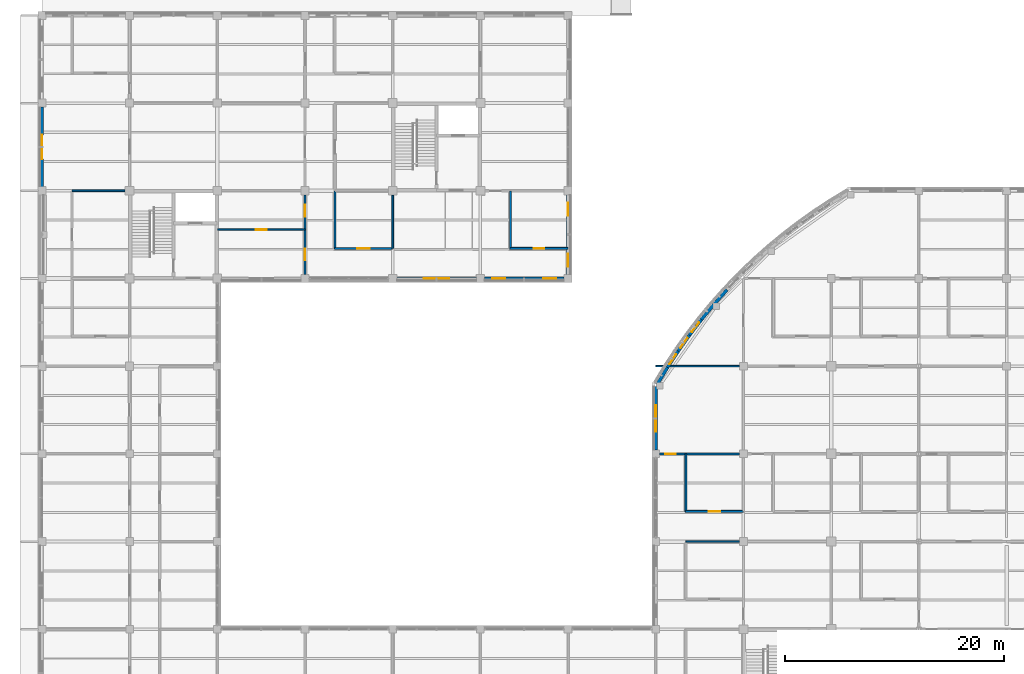
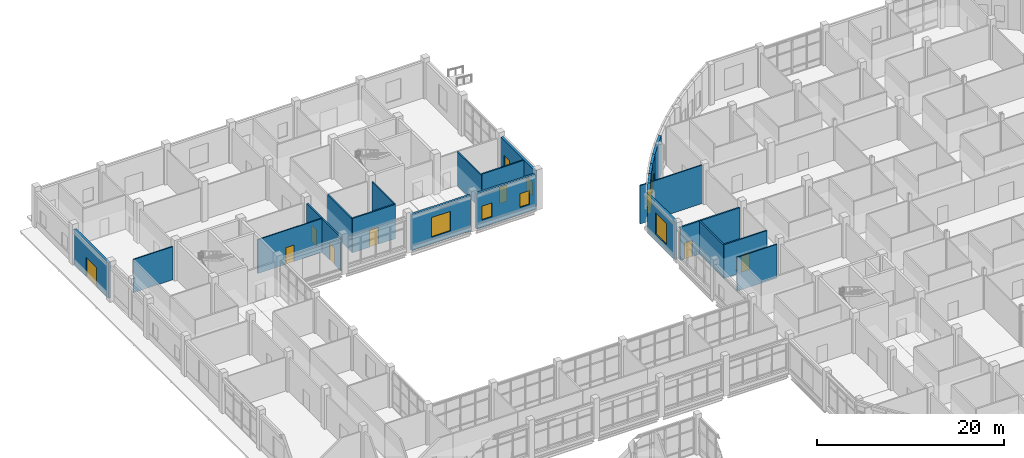
# One storey, part 69 of 105: 24 walls, 9 windows, 8 doors, 17 openings.
"""IFC4 building model written with IfcOpenShell, lengths in metres."""

from ifc_helpers import new_model, si_unit, derived_unit, direction, frame, frame_2d, origin, place, context, subcontext, project, spatial, rectangle, extrude, material, layer, layer_set, type_object, element, fill, save


model = new_model("IFC4")

# Units and contexts
model_context = context("Model", 3, precision=1e-05, world=origin(), true_north=direction((0.0, 1.0)))
body_context = subcontext(model_context, "Body", "Model", "MODEL_VIEW")
ifc_project = project(units=[si_unit("LENGTHUNIT", "METRE"), si_unit("AREAUNIT", "SQUARE_METRE"), si_unit("VOLUMEUNIT", "CUBIC_METRE"), si_unit("PLANEANGLEUNIT", "RADIAN"), si_unit("MASSUNIT", "GRAM", prefix="KILO"), derived_unit("THERMALTRANSMITTANCEUNIT", [(si_unit("MASSUNIT", "GRAM", prefix="KILO"), 1), (si_unit("TIMEUNIT", "SECOND"), -3), (si_unit("THERMODYNAMICTEMPERATUREUNIT", "KELVIN"), -1)])], contexts=[model_context])

# Site, building, storey
site_placement = place(None, origin())
site = spatial("IfcSite", under=ifc_project, at=site_placement, CompositionType="ELEMENT")
building_placement = place(site_placement, origin())
building = spatial("IfcBuilding", under=site, at=building_placement, Name="Veyamyaing Civic Hall", CompositionType="ELEMENT")
storey_placement = place(building_placement, origin())
storey = spatial("IfcBuildingStorey", under=building, at=storey_placement, Name="L00", CompositionType="ELEMENT", Elevation=0.0)

# Walls
ifc_material_1 = material(Name="Precast concrete C40/50", Category="concrete")
ifc_layer_1 = layer(ifc_material_1, 0.304931640625, Name="Precast concrete C40/50")
ifc_layer_set_1 = layer_set([ifc_layer_1], Name="Precast concrete C40/50")
wall_type_1 = type_object("IfcWallType", Name="WT-03", PredefinedType="SOLIDWALL", material=ifc_layer_set_1)
wall_1_placement = place(storey_placement, frame((62.498291015625, 86.975830078125, 0.0), z_axis=(0.0, 0.0, 1.0), x_axis=(-0.666277888361, -0.745703543965, 0.0)))
element("IfcWall", 1, at=wall_1_placement, inside=storey, type_object=wall_type_1, Name="Curved corner facade wall WT-03 L00 NW.9", PredefinedType="SOLIDWALL", context=body_context, shape_type="SweptSolid", body=[
    extrude(rectangle(XDim=1.795166015625, YDim=0.304931640625, at=frame_2d((0.8974609375, 0.0))), origin(), (0.0, 0.0, 1.0), 5.034912109375),
])
wall_2_placement = place(storey_placement, frame((61.305908203125, 85.6416015625, 0.0), z_axis=(0.0, 0.0, 1.0), x_axis=(-0.638054732073, -0.769991012207, 0.0)))
element("IfcWall", 2, at=wall_2_placement, inside=storey, type_object=wall_type_1, Name="Curved corner facade wall WT-03 L00 NW.10", PredefinedType="SOLIDWALL", context=body_context, shape_type="SweptSolid", body=[
    extrude(rectangle(XDim=1.794921875, YDim=0.304931640625, at=frame_2d((0.8974609375, 0.0))), origin(), (0.0, 0.0, 1.0), 5.034912109375),
])

# Wall, opening, window
wall_3_placement = place(storey_placement, frame((60.164306640625, 84.263916015625, 0.0), z_axis=(0.0, 0.0, 1.0), x_axis=(-0.608776981616, -0.793341406114, 0.0)))
wall_3 = element("IfcWall", 3, at=wall_3_placement, inside=storey, type_object=wall_type_1, Name="Curved corner facade wall WT-03 L00 NW.11", PredefinedType="SOLIDWALL", context=body_context, shape_type="SweptSolid", body=[
    extrude(rectangle(XDim=1.794921875, YDim=0.304931640625, at=frame_2d((0.8974609375, 0.0))), origin(), (0.0, 0.0, 1.0), 5.034912109375),
])
opening_1_placement = place(wall_3_placement, frame((0.347412109375, 0.0, 0.89990234375)))
opening_1 = element("IfcOpeningElement", 4, at=opening_1_placement, cuts=wall_3, Name="Opening W-15", PredefinedType="OPENING", context=body_context, shape_type="SweptSolid", body=[
    extrude(rectangle(XDim=1.10009765625, YDim=2.10009765625, at=frame_2d((0.550048828125, 1.050048828125))), frame((0.0, 0.162353515625, 0.0), z_axis=(0.0, -1.0, 0.0), x_axis=(1.0, 0.0, 0.0)), (0.0, 0.0, 1.0), 0.324951171875),
])
ifc_material_2 = material(Name="Low-E insulated glass", Category="glass")
window_type_1 = type_object("IfcWindowType", Name="W-15", PartitioningType="SINGLE_PANEL", PredefinedType="WINDOW", material=ifc_material_2)
window_1_placement = place(opening_1_placement, origin())
window_1 = element("IfcWindow", 5, at=window_1_placement, inside=storey, type_object=window_type_1, Name="Curved ribbon window W-15 L00 NW.11", OverallHeight=2.10009765625, OverallWidth=1.10009765625, PartitioningType="SINGLE_PANEL", PredefinedType="WINDOW", context=body_context, shape_type="SweptSolid", body=[
    extrude(rectangle(XDim=1.10009765625, YDim=2.10009765625, at=frame_2d((0.550048828125, 1.050048828125))), frame((0.0, 0.030029296875, 0.0), z_axis=(0.0, -1.0, 0.0), x_axis=(1.0, 0.0, 0.0)), (0.0, 0.0, 1.0), 0.06005859375),
])
fill(opening_1, window_1)

wall_4_placement = place(storey_placement, frame((59.074951171875, 82.844482421875, 0.0), z_axis=(0.0, 0.0, 1.0), x_axis=(-0.578662393636, -0.815567185578, 0.0)))
wall_4 = element("IfcWall", 6, at=wall_4_placement, inside=storey, type_object=wall_type_1, Name="Curved corner facade wall WT-03 L00 NW.12", PredefinedType="SOLIDWALL", context=body_context, shape_type="SweptSolid", body=[
    extrude(rectangle(XDim=1.795166015625, YDim=0.304931640625, at=frame_2d((0.8974609375, 0.0))), origin(), (0.0, 0.0, 1.0), 5.034912109375),
])
opening_2_placement = place(wall_4_placement, frame((0.34765625, 0.0, 0.89990234375)))
opening_2 = element("IfcOpeningElement", 7, at=opening_2_placement, cuts=wall_4, Name="Opening W-15", PredefinedType="OPENING", context=body_context, shape_type="SweptSolid", body=[
    extrude(rectangle(XDim=1.10009765625, YDim=2.10009765625, at=frame_2d((0.550048828125, 1.050048828125))), frame((0.0, 0.162353515625, 0.0), z_axis=(0.0, -1.0, 0.0), x_axis=(1.0, 0.0, 0.0)), (0.0, 0.0, 1.0), 0.324951171875),
])
window_2_placement = place(opening_2_placement, origin())
window_2 = element("IfcWindow", 8, at=window_2_placement, inside=storey, type_object=window_type_1, Name="Curved ribbon window W-15 L00 NW.12", OverallHeight=2.10009765625, OverallWidth=1.10009765625, PartitioningType="SINGLE_PANEL", PredefinedType="WINDOW", context=body_context, shape_type="SweptSolid", body=[
    extrude(rectangle(XDim=1.10009765625, YDim=2.10009765625, at=frame_2d((0.550048828125, 1.050048828125))), frame((0.0, 0.030029296875, 0.0), z_axis=(0.0, -1.0, 0.0), x_axis=(1.0, 0.0, 0.0)), (0.0, 0.0, 1.0), 0.06005859375),
])
fill(opening_2, window_2)

wall_5_placement = place(storey_placement, frame((58.039306640625, 81.38525390625, 0.0), z_axis=(0.0, 0.0, 1.0), x_axis=(-0.547681678944, -0.836686786408, 0.0)))
wall_5 = element("IfcWall", 9, at=wall_5_placement, inside=storey, type_object=wall_type_1, Name="Curved corner facade wall WT-03 L00 NW.13", PredefinedType="SOLIDWALL", context=body_context, shape_type="SweptSolid", body=[
    extrude(rectangle(XDim=1.795166015625, YDim=0.304931640625, at=frame_2d((0.8974609375, 0.0))), origin(), (0.0, 0.0, 1.0), 5.034912109375),
])
opening_3_placement = place(wall_5_placement, frame((0.347412109375, 0.0, 0.89990234375)))
opening_3 = element("IfcOpeningElement", 10, at=opening_3_placement, cuts=wall_5, Name="Opening W-15", PredefinedType="OPENING", context=body_context, shape_type="SweptSolid", body=[
    extrude(rectangle(XDim=1.10009765625, YDim=2.10009765625, at=frame_2d((0.550048828125, 1.050048828125))), frame((0.0, 0.162353515625, 0.0), z_axis=(0.0, -1.0, 0.0), x_axis=(1.0, 0.0, 0.0)), (0.0, 0.0, 1.0), 0.324951171875),
])
window_3_placement = place(opening_3_placement, origin())
window_3 = element("IfcWindow", 11, at=window_3_placement, inside=storey, type_object=window_type_1, Name="Curved ribbon window W-15 L00 NW.13", OverallHeight=2.10009765625, OverallWidth=1.10009765625, PartitioningType="SINGLE_PANEL", PredefinedType="WINDOW", context=body_context, shape_type="SweptSolid", body=[
    extrude(rectangle(XDim=1.10009765625, YDim=2.10009765625, at=frame_2d((0.550048828125, 1.050048828125))), frame((0.0, 0.030029296875, 0.0), z_axis=(0.0, -1.0, 0.0), x_axis=(1.0, 0.0, 0.0)), (0.0, 0.0, 1.0), 0.06005859375),
])
fill(opening_3, window_3)

# Wall
wall_6_placement = place(storey_placement, frame((57.05908203125, 79.88818359375, 0.0), z_axis=(0.0, 0.0, 1.0), x_axis=(-0.51607516088, -0.856543302071, 0.0)))
element("IfcWall", 12, at=wall_6_placement, inside=storey, type_object=wall_type_1, Name="Curved corner facade wall WT-03 L00 NW.14", PredefinedType="SOLIDWALL", context=body_context, shape_type="SweptSolid", body=[
    extrude(rectangle(XDim=1.794921875, YDim=0.304931640625, at=frame_2d((0.8974609375, 0.0))), origin(), (0.0, 0.0, 1.0), 5.034912109375),
])

# Wall, opening, window
wall_7_placement = place(storey_placement, frame((56.0, 72.3349609375, 0.0), z_axis=(0.0, 0.0, 1.0), x_axis=(0.0, 1.0, 0.0)))
wall_7 = element("IfcWall", 13, at=wall_7_placement, inside=storey, type_object=wall_type_1, Name="Exterior facade wall WT-03 L00 W 8.10", PredefinedType="SOLIDWALL", context=body_context, shape_type="SweptSolid", body=[
    extrude(rectangle(XDim=5.810791015625, YDim=0.304931640625, at=frame_2d((2.9052734375, 0.0))), origin(), (0.0, 0.0, 1.0), 5.034912109375),
])
opening_4_placement = place(wall_7_placement, frame((1.705322265625, 0.0, 0.89990234375)))
opening_4 = element("IfcOpeningElement", 14, at=opening_4_placement, cuts=wall_7, Name="Opening W-01", PredefinedType="OPENING", context=body_context, shape_type="SweptSolid", body=[
    extrude(rectangle(XDim=2.39990234375, YDim=2.800048828125, at=frame_2d((1.199951171875, 1.39990234375))), frame((0.0, 0.162353515625, 0.0), z_axis=(0.0, -1.0, 0.0), x_axis=(1.0, 0.0, 0.0)), (0.0, 0.0, 1.0), 0.324951171875),
])
window_type_2 = type_object("IfcWindowType", Name="W-01", PartitioningType="SINGLE_PANEL", PredefinedType="WINDOW", material=ifc_material_2)
window_4_placement = place(opening_4_placement, origin())
window_4 = element("IfcWindow", 15, at=window_4_placement, inside=storey, type_object=window_type_2, Name="Facade window W-01 L00 W 8.10", OverallHeight=2.800048828125, OverallWidth=2.39990234375, PartitioningType="SINGLE_PANEL", PredefinedType="WINDOW", context=body_context, shape_type="SweptSolid", body=[
    extrude(rectangle(XDim=2.39990234375, YDim=2.800048828125, at=frame_2d((1.199951171875, 1.39990234375))), frame((0.0, 0.030029296875, 0.0), z_axis=(0.0, -1.0, 0.0), x_axis=(1.0, 0.0, 0.0)), (0.0, 0.0, 1.0), 0.06005859375),
])
fill(opening_4, window_4)

# Wall, opening, door
ifc_layer_2 = layer(ifc_material_1, 0.280029296875, Name="Precast concrete C40/50")
ifc_layer_set_2 = layer_set([ifc_layer_2], Name="Precast concrete C40/50")
wall_type_2 = type_object("IfcWallType", Name="WT-04", PredefinedType="SOLIDWALL", material=ifc_layer_set_2)
wall_8_placement = place(storey_placement, frame((0.0, 96.360107421875, 0.0), z_axis=(0.0, 0.0, 1.0), x_axis=(0.0, 1.0, 0.0)))
wall_8 = element("IfcWall", 16, at=wall_8_placement, inside=storey, type_object=wall_type_2, Name="Exterior facade wall WT-04 L00 W 1.13", PredefinedType="SOLIDWALL", context=body_context, shape_type="SweptSolid", body=[
    extrude(rectangle(XDim=7.27978515625, YDim=0.280029296875, at=frame_2d((3.639892578125, 0.0))), origin(), (0.0, 0.0, 1.0), 4.610107421875),
])
opening_5_placement = place(wall_8_placement, frame((2.5400390625, 0.0, 0.0)))
opening_5 = element("IfcOpeningElement", 17, at=opening_5_placement, cuts=wall_8, Name="Opening D-01", PredefinedType="OPENING", context=body_context, shape_type="SweptSolid", body=[
    extrude(rectangle(XDim=2.199951171875, YDim=2.5, at=frame_2d((1.10009765625, 1.25))), frame((0.0, 0.14990234375, 0.0), z_axis=(0.0, -1.0, 0.0), x_axis=(1.0, 0.0, 0.0)), (0.0, 0.0, 1.0), 0.300048828125),
])
ifc_material_3 = material(Name="Anodised aluminium 6063-T6", Category="aluminium")
door_type_1 = type_object("IfcDoorType", Name="D-01", OperationType="DOUBLE_DOOR_SINGLE_SWING", PredefinedType="DOOR", material=ifc_material_3)
door_1_placement = place(opening_5_placement, origin())
door_1 = element("IfcDoor", 18, at=door_1_placement, inside=storey, type_object=door_type_1, Name="Main pedestrian final exit EX-04", OperationType="DOUBLE_DOOR_SINGLE_SWING", OverallHeight=2.5, OverallWidth=2.199951171875, PredefinedType="DOOR", context=body_context, shape_type="SweptSolid", body=[
    extrude(rectangle(XDim=2.199951171875, YDim=2.5, at=frame_2d((1.10009765625, 1.25))), frame((0.0, 0.02490234375, 0.0), z_axis=(0.0, -1.0, 0.0), x_axis=(1.0, 0.0, 0.0)), (0.0, 0.0, 1.0), 0.050048828125),
])
fill(opening_5, door_1)

# Wall, opening, window
wall_9_placement = place(storey_placement, frame((32.360107421875, 88.0, 0.0), z_axis=(0.0, 0.0, 1.0), x_axis=(1.0, 0.0, 0.0)))
wall_9 = element("IfcWall", 19, at=wall_9_placement, inside=storey, type_object=wall_type_2, Name="Exterior facade wall WT-04 L00 S 5.12", PredefinedType="SOLIDWALL", context=body_context, shape_type="SweptSolid", body=[
    extrude(rectangle(XDim=7.27978515625, YDim=0.280029296875, at=frame_2d((3.639892578125, 0.0))), origin(), (0.0, 0.0, 1.0), 4.677001953125),
])
opening_6_placement = place(wall_9_placement, frame((2.489990234375, 0.0, 0.89990234375)))
opening_6 = element("IfcOpeningElement", 20, at=opening_6_placement, cuts=wall_9, Name="Opening W-25", PredefinedType="OPENING", context=body_context, shape_type="SweptSolid", body=[
    extrude(rectangle(XDim=2.300048828125, YDim=2.550048828125, at=frame_2d((1.14990234375, 1.27490234375))), frame((0.0, 0.14990234375, 0.0), z_axis=(0.0, -1.0, 0.0), x_axis=(1.0, 0.0, 0.0)), (0.0, 0.0, 1.0), 0.300048828125),
])
window_type_3 = type_object("IfcWindowType", Name="W-25", PartitioningType="SINGLE_PANEL", PredefinedType="WINDOW", material=ifc_material_2)
window_5_placement = place(opening_6_placement, origin())
window_5 = element("IfcWindow", 21, at=window_5_placement, inside=storey, type_object=window_type_3, Name="Facade window W-25 L00 S 5.12", OverallHeight=2.550048828125, OverallWidth=2.300048828125, PartitioningType="SINGLE_PANEL", PredefinedType="WINDOW", context=body_context, shape_type="SweptSolid", body=[
    extrude(rectangle(XDim=2.300048828125, YDim=2.550048828125, at=frame_2d((1.14990234375, 1.27490234375))), frame((0.0, 0.030029296875, 0.0), z_axis=(0.0, -1.0, 0.0), x_axis=(1.0, 0.0, 0.0)), (0.0, 0.0, 1.0), 0.06005859375),
])
fill(opening_6, window_5)

# Wall, openings, windows
wall_10_placement = place(storey_placement, frame((40.360107421875, 88.0, 0.0), z_axis=(0.0, 0.0, 1.0), x_axis=(1.0, 0.0, 0.0)))
wall_10 = element("IfcWall", 22, at=wall_10_placement, inside=storey, type_object=wall_type_2, Name="Exterior facade wall WT-04 L00 S 6.12", PredefinedType="SOLIDWALL", context=body_context, shape_type="SweptSolid", body=[
    extrude(rectangle(XDim=7.27978515625, YDim=0.280029296875, at=frame_2d((3.639892578125, 0.0))), origin(), (0.0, 0.0, 1.0), 4.610107421875),
])
opening_7_placement = place(wall_10_placement, frame((0.71044921875, 0.0, 0.949951171875)))
opening_7 = element("IfcOpeningElement", 23, at=opening_7_placement, cuts=wall_10, Name="Opening W-14", PredefinedType="OPENING", context=body_context, shape_type="SweptSolid", body=[
    extrude(rectangle(XDim=1.199951171875, YDim=1.800048828125, at=frame_2d((0.60009765625, 0.89990234375))), frame((0.0, 0.14990234375, 0.0), z_axis=(0.0, -1.0, 0.0), x_axis=(1.0, 0.0, 0.0)), (0.0, 0.0, 1.0), 0.300048828125),
])
opening_8_placement = place(wall_10_placement, frame((5.36962890625, 0.0, 0.949951171875)))
opening_8 = element("IfcOpeningElement", 24, at=opening_8_placement, cuts=wall_10, Name="Opening W-14", PredefinedType="OPENING", context=body_context, shape_type="SweptSolid", body=[
    extrude(rectangle(XDim=1.199951171875, YDim=1.800048828125, at=frame_2d((0.60009765625, 0.89990234375))), frame((0.0, 0.14990234375, 0.0), z_axis=(0.0, -1.0, 0.0), x_axis=(1.0, 0.0, 0.0)), (0.0, 0.0, 1.0), 0.300048828125),
])
window_type_4 = type_object("IfcWindowType", Name="W-14", PartitioningType="SINGLE_PANEL", PredefinedType="WINDOW", material=ifc_material_2)
window_6_placement = place(opening_7_placement, origin())
window_6 = element("IfcWindow", 25, at=window_6_placement, inside=storey, type_object=window_type_4, Name="Facade window W-14 L00 S 6.12.1", OverallHeight=1.800048828125, OverallWidth=1.199951171875, PartitioningType="SINGLE_PANEL", PredefinedType="WINDOW", context=body_context, shape_type="SweptSolid", body=[
    extrude(rectangle(XDim=1.199951171875, YDim=1.800048828125, at=frame_2d((0.60009765625, 0.89990234375))), frame((0.0, 0.030029296875, 0.0), z_axis=(0.0, -1.0, 0.0), x_axis=(1.0, 0.0, 0.0)), (0.0, 0.0, 1.0), 0.06005859375),
])
fill(opening_7, window_6)
window_7_placement = place(opening_8_placement, origin())
window_7 = element("IfcWindow", 26, at=window_7_placement, inside=storey, type_object=window_type_4, Name="Facade window W-14 L00 S 6.12.2", OverallHeight=1.800048828125, OverallWidth=1.199951171875, PartitioningType="SINGLE_PANEL", PredefinedType="WINDOW", context=body_context, shape_type="SweptSolid", body=[
    extrude(rectangle(XDim=1.199951171875, YDim=1.800048828125, at=frame_2d((0.60009765625, 0.89990234375))), frame((0.0, 0.030029296875, 0.0), z_axis=(0.0, -1.0, 0.0), x_axis=(1.0, 0.0, 0.0)), (0.0, 0.0, 1.0), 0.06005859375),
])
fill(opening_8, window_7)

wall_11_placement = place(storey_placement, frame((48.0, 88.360107421875, 0.0), z_axis=(0.0, 0.0, 1.0), x_axis=(0.0, 1.0, 0.0)))
wall_11 = element("IfcWall", 27, at=wall_11_placement, inside=storey, type_object=wall_type_2, Name="Exterior facade wall WT-04 L00 E 6.12", PredefinedType="SOLIDWALL", context=body_context, shape_type="SweptSolid", body=[
    extrude(rectangle(XDim=7.27978515625, YDim=0.280029296875, at=frame_2d((3.639892578125, 0.0))), origin(), (0.0, 0.0, 1.0), 4.674072265625),
])
opening_9_placement = place(wall_11_placement, frame((0.71044921875, 0.0, 0.949951171875)))
opening_9 = element("IfcOpeningElement", 28, at=opening_9_placement, cuts=wall_11, Name="Opening W-14", PredefinedType="OPENING", context=body_context, shape_type="SweptSolid", body=[
    extrude(rectangle(XDim=1.199951171875, YDim=1.800048828125, at=frame_2d((0.60009765625, 0.89990234375))), frame((0.0, 0.14990234375, 0.0), z_axis=(0.0, -1.0, 0.0), x_axis=(1.0, 0.0, 0.0)), (0.0, 0.0, 1.0), 0.300048828125),
])
opening_10_placement = place(wall_11_placement, frame((5.36962890625, 0.0, 0.949951171875)))
opening_10 = element("IfcOpeningElement", 29, at=opening_10_placement, cuts=wall_11, Name="Opening W-14", PredefinedType="OPENING", context=body_context, shape_type="SweptSolid", body=[
    extrude(rectangle(XDim=1.199951171875, YDim=1.800048828125, at=frame_2d((0.60009765625, 0.89990234375))), frame((0.0, 0.14990234375, 0.0), z_axis=(0.0, -1.0, 0.0), x_axis=(1.0, 0.0, 0.0)), (0.0, 0.0, 1.0), 0.300048828125),
])
window_8_placement = place(opening_9_placement, origin())
window_8 = element("IfcWindow", 30, at=window_8_placement, inside=storey, type_object=window_type_4, Name="Facade window W-14 L00 E 6.12.1", OverallHeight=1.800048828125, OverallWidth=1.199951171875, PartitioningType="SINGLE_PANEL", PredefinedType="WINDOW", context=body_context, shape_type="SweptSolid", body=[
    extrude(rectangle(XDim=1.199951171875, YDim=1.800048828125, at=frame_2d((0.60009765625, 0.89990234375))), frame((0.0, 0.030029296875, 0.0), z_axis=(0.0, -1.0, 0.0), x_axis=(1.0, 0.0, 0.0)), (0.0, 0.0, 1.0), 0.06005859375),
])
fill(opening_9, window_8)
window_9_placement = place(opening_10_placement, origin())
window_9 = element("IfcWindow", 31, at=window_9_placement, inside=storey, type_object=window_type_4, Name="Facade window W-14 L00 E 6.12.2", OverallHeight=1.800048828125, OverallWidth=1.199951171875, PartitioningType="SINGLE_PANEL", PredefinedType="WINDOW", context=body_context, shape_type="SweptSolid", body=[
    extrude(rectangle(XDim=1.199951171875, YDim=1.800048828125, at=frame_2d((0.60009765625, 0.89990234375))), frame((0.0, 0.030029296875, 0.0), z_axis=(0.0, -1.0, 0.0), x_axis=(1.0, 0.0, 0.0)), (0.0, 0.0, 1.0), 0.06005859375),
])
fill(opening_10, window_9)

# Wall, opening, door
ifc_material_4 = material(Name="Gypsum board on acoustic steel stud", Category="steel")
ifc_layer_3 = layer(ifc_material_4, 0.175048828125, Name="Gypsum board on acoustic steel stud")
ifc_layer_set_3 = layer_set([ifc_layer_3], Name="Gypsum board on acoustic steel stud")
wall_type_3 = type_object("IfcWallType", Name="WT-07", PredefinedType="PARTITIONING", material=ifc_layer_set_3)
wall_12_placement = place(storey_placement, frame((42.699951171875, 90.75, 0.0), z_axis=(0.0, 0.0, 1.0), x_axis=(1.0, 0.0, 0.0)))
wall_12 = element("IfcWall", 32, at=wall_12_placement, inside=storey, type_object=wall_type_3, Name="Corridor gallery partition WT-07 L00.25.1", PredefinedType="PARTITIONING", context=body_context, shape_type="SweptSolid", body=[
    extrude(rectangle(XDim=5.280029296875, YDim=0.175048828125, at=frame_2d((2.64013671875, 0.0))), origin(), (0.0, 0.0, 1.0), 4.6669921875),
])
opening_11_placement = place(wall_12_placement, frame((2.159912109375, 0.0, 0.0)))
opening_11 = element("IfcOpeningElement", 33, at=opening_11_placement, cuts=wall_12, Name="Opening D-25", PredefinedType="OPENING", context=body_context, shape_type="SweptSolid", body=[
    extrude(rectangle(XDim=0.9599609375, YDim=2.139892578125, at=frame_2d((0.47998046875, 1.06982421875))), frame((0.0, 0.097412109375, 0.0), z_axis=(0.0, -1.0, 0.0), x_axis=(1.0, 0.0, 0.0)), (0.0, 0.0, 1.0), 0.195068359375),
])
ifc_material_5 = material(Name="Teak-veneered acoustic timber", Category="wood")
door_type_2 = type_object("IfcDoorType", Name="D-25", OperationType="NOTDEFINED", PredefinedType="DOOR", material=ifc_material_5)
door_2_placement = place(opening_11_placement, origin())
door_2 = element("IfcDoor", 34, at=door_2_placement, inside=storey, type_object=door_type_2, Name="Gallery office door D-25 L00.25", OperationType="SINGLE_SWING_RIGHT", OverallHeight=2.139892578125, OverallWidth=0.9599609375, PredefinedType="DOOR", context=body_context, shape_type="SweptSolid", body=[
    extrude(rectangle(XDim=0.9599609375, YDim=2.139892578125, at=frame_2d((0.47998046875, 1.06982421875))), frame((0.0, 0.02490234375, 0.0), z_axis=(0.0, -1.0, 0.0), x_axis=(1.0, 0.0, 0.0)), (0.0, 0.0, 1.0), 0.050048828125),
])
fill(opening_11, door_2)

# Wall
wall_13_placement = place(storey_placement, frame((42.75, 90.699951171875, 0.0), z_axis=(0.0, 0.0, 1.0), x_axis=(0.0, 1.0, 0.0)))
element("IfcWall", 35, at=wall_13_placement, inside=storey, type_object=wall_type_3, Name="Corridor gallery partition WT-07 L00.25.2", PredefinedType="PARTITIONING", context=body_context, shape_type="SweptSolid", body=[
    extrude(rectangle(XDim=5.280029296875, YDim=0.175048828125, at=frame_2d((2.64013671875, 0.0))), origin(), (0.0, 0.0, 1.0), 4.403076171875),
])

# Wall, opening, door
wall_14_placement = place(storey_placement, frame((58.699951171875, 66.75, 0.0), z_axis=(0.0, 0.0, 1.0), x_axis=(1.0, 0.0, 0.0)))
wall_14 = element("IfcWall", 36, at=wall_14_placement, inside=storey, type_object=wall_type_3, Name="Corridor gallery partition WT-07 L00.29.1", PredefinedType="PARTITIONING", context=body_context, shape_type="SweptSolid", body=[
    extrude(rectangle(XDim=5.280029296875, YDim=0.175048828125, at=frame_2d((2.64013671875, 0.0))), origin(), (0.0, 0.0, 1.0), 4.403076171875),
])
opening_12_placement = place(wall_14_placement, frame((2.114990234375, 0.0, 0.0)))
opening_12 = element("IfcOpeningElement", 37, at=opening_12_placement, cuts=wall_14, Name="Opening D-12", PredefinedType="OPENING", context=body_context, shape_type="SweptSolid", body=[
    extrude(rectangle(XDim=1.050048828125, YDim=2.14990234375, at=frame_2d((0.52490234375, 1.074951171875))), frame((0.0, 0.097412109375, 0.0), z_axis=(0.0, -1.0, 0.0), x_axis=(1.0, 0.0, 0.0)), (0.0, 0.0, 1.0), 0.195068359375),
])
door_type_3 = type_object("IfcDoorType", Name="D-12", OperationType="NOTDEFINED", PredefinedType="DOOR", material=ifc_material_5)
door_3_placement = place(opening_12_placement, origin())
door_3 = element("IfcDoor", 38, at=door_3_placement, inside=storey, type_object=door_type_3, Name="Gallery office door D-12 L00.29", OperationType="SINGLE_SWING_RIGHT", OverallHeight=2.14990234375, OverallWidth=1.050048828125, PredefinedType="DOOR", context=body_context, shape_type="SweptSolid", body=[
    extrude(rectangle(XDim=1.050048828125, YDim=2.14990234375, at=frame_2d((0.52490234375, 1.074951171875))), frame((0.0, 0.02490234375, 0.0), z_axis=(0.0, -1.0, 0.0), x_axis=(1.0, 0.0, 0.0)), (0.0, 0.0, 1.0), 0.050048828125),
])
fill(opening_12, door_3)

# Wall
wall_15_placement = place(storey_placement, frame((58.75, 66.699951171875, 0.0), z_axis=(0.0, 0.0, 1.0), x_axis=(0.0, 1.0, 0.0)))
element("IfcWall", 39, at=wall_15_placement, inside=storey, type_object=wall_type_3, Name="Corridor gallery partition WT-07 L00.29.2", PredefinedType="PARTITIONING", context=body_context, shape_type="SweptSolid", body=[
    extrude(rectangle(XDim=5.280029296875, YDim=0.175048828125, at=frame_2d((2.64013671875, 0.0))), origin(), (0.0, 0.0, 1.0), 4.326904296875),
])

# Wall, openings, doors
wall_16_placement = place(storey_placement, frame((24.0, 88.364990234375, 0.0), z_axis=(0.0, 0.0, 1.0), x_axis=(0.0, 1.0, 0.0)))
wall_16 = element("IfcWall", 40, at=wall_16_placement, inside=storey, type_object=wall_type_3, Name="Interior partition wall WT-07 L00.29", PredefinedType="PARTITIONING", context=body_context, shape_type="SweptSolid", body=[
    extrude(rectangle(XDim=7.27001953125, YDim=0.175048828125, at=frame_2d((3.635009765625, 0.0))), origin(), (0.0, 0.0, 1.0), 4.404052734375),
])
opening_13_placement = place(wall_16_placement, frame((1.29248046875, 0.0, 0.0)))
opening_13 = element("IfcOpeningElement", 41, at=opening_13_placement, cuts=wall_16, Name="Opening D-12", PredefinedType="OPENING", context=body_context, shape_type="SweptSolid", body=[
    extrude(rectangle(XDim=1.050048828125, YDim=2.14990234375, at=frame_2d((0.52490234375, 1.074951171875))), frame((0.0, 0.097412109375, 0.0), z_axis=(0.0, -1.0, 0.0), x_axis=(1.0, 0.0, 0.0)), (0.0, 0.0, 1.0), 0.195068359375),
])
opening_14_placement = place(wall_16_placement, frame((5.291015625, 0.0, 0.0)))
opening_14 = element("IfcOpeningElement", 42, at=opening_14_placement, cuts=wall_16, Name="Opening D-12", PredefinedType="OPENING", context=body_context, shape_type="SweptSolid", body=[
    extrude(rectangle(XDim=1.050048828125, YDim=2.14990234375, at=frame_2d((0.52490234375, 1.074951171875))), frame((0.0, 0.097412109375, 0.0), z_axis=(0.0, -1.0, 0.0), x_axis=(1.0, 0.0, 0.0)), (0.0, 0.0, 1.0), 0.195068359375),
])
door_4_placement = place(opening_13_placement, origin())
door_4 = element("IfcDoor", 43, at=door_4_placement, inside=storey, type_object=door_type_3, Name="Interior room door D-12 L00.29.1", OperationType="SINGLE_SWING_LEFT", OverallHeight=2.14990234375, OverallWidth=1.050048828125, PredefinedType="DOOR", context=body_context, shape_type="SweptSolid", body=[
    extrude(rectangle(XDim=1.050048828125, YDim=2.14990234375, at=frame_2d((0.52490234375, 1.074951171875))), frame((0.0, 0.02490234375, 0.0), z_axis=(0.0, -1.0, 0.0), x_axis=(1.0, 0.0, 0.0)), (0.0, 0.0, 1.0), 0.050048828125),
])
fill(opening_13, door_4)
door_5_placement = place(opening_14_placement, origin())
door_5 = element("IfcDoor", 44, at=door_5_placement, inside=storey, type_object=door_type_3, Name="Interior room door D-12 L00.29.2", OperationType="SINGLE_SWING_RIGHT", OverallHeight=2.14990234375, OverallWidth=1.050048828125, PredefinedType="DOOR", context=body_context, shape_type="SweptSolid", body=[
    extrude(rectangle(XDim=1.050048828125, YDim=2.14990234375, at=frame_2d((0.52490234375, 1.074951171875))), frame((0.0, 0.02490234375, 0.0), z_axis=(0.0, -1.0, 0.0), x_axis=(1.0, 0.0, 0.0)), (0.0, 0.0, 1.0), 0.050048828125),
])
fill(opening_14, door_5)

# Walls
ifc_material_6 = material(Name="Gypsum board on steel stud", Category="steel")
ifc_layer_4 = layer(ifc_material_6, 0.14990234375, Name="Gypsum board on steel stud")
ifc_layer_set_4 = layer_set([ifc_layer_4], Name="Gypsum board on steel stud")
wall_type_4 = type_object("IfcWallType", Name="WT-08", PredefinedType="PARTITIONING", material=ifc_layer_set_4)
wall_17_placement = place(storey_placement, frame((2.75, 96.0, 0.0), z_axis=(0.0, 0.0, 1.0), x_axis=(1.0, 0.0, 0.0)))
element("IfcWall", 45, at=wall_17_placement, inside=storey, type_object=wall_type_4, Name="Gallery office end partition WT-08 L00.2.2", PredefinedType="PARTITIONING", context=body_context, shape_type="SweptSolid", body=[
    extrude(rectangle(XDim=4.840087890625, YDim=0.14990234375, at=frame_2d((2.419921875, 0.0))), origin(), (0.0, 0.0, 1.0), 4.326904296875),
])
wall_18_placement = place(storey_placement, frame((32.0, 90.75, 0.0), z_axis=(0.0, 0.0, 1.0), x_axis=(0.0, 1.0, 0.0)))
element("IfcWall", 46, at=wall_18_placement, inside=storey, type_object=wall_type_4, Name="Gallery office end partition WT-08 L00.16.2", PredefinedType="PARTITIONING", context=body_context, shape_type="SweptSolid", body=[
    extrude(rectangle(XDim=4.840087890625, YDim=0.14990234375, at=frame_2d((2.419921875, 0.0))), origin(), (0.0, 0.0, 1.0), 4.470947265625),
])
wall_19_placement = place(storey_placement, frame((58.75, 64.0, 0.0), z_axis=(0.0, 0.0, 1.0), x_axis=(1.0, 0.0, 0.0)))
element("IfcWall", 47, at=wall_19_placement, inside=storey, type_object=wall_type_4, Name="Gallery office end partition WT-08 L00.28.1", PredefinedType="PARTITIONING", context=body_context, shape_type="SweptSolid", body=[
    extrude(rectangle(XDim=4.889892578125, YDim=0.14990234375, at=frame_2d((2.44482421875, 0.0))), origin(), (0.0, 0.0, 1.0), 4.404052734375),
])
ifc_layer_5 = layer(ifc_material_6, 0.135009765625, Name="Gypsum board on steel stud")
ifc_layer_set_5 = layer_set([ifc_layer_5], Name="Gypsum board on steel stud")
wall_type_5 = type_object("IfcWallType", Name="WT-15", PredefinedType="PARTITIONING", material=ifc_layer_set_5)
wall_20_placement = place(storey_placement, frame((56.0, 80.0, 0.0), z_axis=(0.0, 0.0, 1.0), x_axis=(1.0, 0.0, 0.0)))
element("IfcWall", 48, at=wall_20_placement, inside=storey, type_object=wall_type_5, Name="Interior partition wall WT-15 L00.48", PredefinedType="PARTITIONING", context=body_context, shape_type="SweptSolid", body=[
    extrude(rectangle(XDim=7.659912109375, YDim=0.135009765625, at=frame_2d((3.830078125, 0.0))), origin(), (0.0, 0.0, 1.0), 5.02490234375),
])

# Wall, opening, door
wall_21_placement = place(storey_placement, frame((16.02001953125, 92.449951171875, 0.0), z_axis=(0.0, 0.0, 1.0), x_axis=(1.0, 0.0, 0.0)))
wall_21 = element("IfcWall", 49, at=wall_21_placement, inside=storey, type_object=wall_type_5, Name="Sub-bay room partition WT-15 L00.2", PredefinedType="PARTITIONING", context=body_context, shape_type="SweptSolid", body=[
    extrude(rectangle(XDim=7.9599609375, YDim=0.135009765625, at=frame_2d((3.97998046875, 0.0))), origin(), (0.0, 0.0, 1.0), 4.404052734375),
])
opening_15_placement = place(wall_21_placement, frame((3.489990234375, 0.0, 0.0)))
opening_15 = element("IfcOpeningElement", 50, at=opening_15_placement, cuts=wall_21, Name="Opening D-14", PredefinedType="OPENING", context=body_context, shape_type="SweptSolid", body=[
    extrude(rectangle(XDim=0.97998046875, YDim=2.14990234375, at=frame_2d((0.489990234375, 1.074951171875))), frame((0.0, 0.077392578125, 0.0), z_axis=(0.0, -1.0, 0.0), x_axis=(1.0, 0.0, 0.0)), (0.0, 0.0, 1.0), 0.155029296875),
])
door_type_4 = type_object("IfcDoorType", Name="D-14", OperationType="NOTDEFINED", PredefinedType="DOOR", material=ifc_material_5)
door_6_placement = place(opening_15_placement, origin())
door_6 = element("IfcDoor", 51, at=door_6_placement, inside=storey, type_object=door_type_4, Name="Suite connecting door D-14 L00.2", OperationType="SINGLE_SWING_LEFT", OverallHeight=2.14990234375, OverallWidth=0.97998046875, PredefinedType="DOOR", context=body_context, shape_type="SweptSolid", body=[
    extrude(rectangle(XDim=0.97998046875, YDim=2.14990234375, at=frame_2d((0.489990234375, 1.074951171875))), frame((0.0, 0.02490234375, 0.0), z_axis=(0.0, -1.0, 0.0), x_axis=(1.0, 0.0, 0.0)), (0.0, 0.0, 1.0), 0.050048828125),
])
fill(opening_15, door_6)

ifc_material_7 = material(Name="Gypsum board on double acoustic stud")
ifc_layer_6 = layer(ifc_material_7, 0.18505859375, Name="Gypsum board on double acoustic stud")
ifc_layer_set_6 = layer_set([ifc_layer_6], Name="Gypsum board on double acoustic stud")
wall_type_6 = type_object("IfcWallType", Name="WT-19", PredefinedType="PARTITIONING", material=ifc_layer_set_6)
wall_22_placement = place(storey_placement, frame((26.699951171875, 90.75, 0.0), z_axis=(0.0, 0.0, 1.0), x_axis=(1.0, 0.0, 0.0)))
wall_22 = element("IfcWall", 52, at=wall_22_placement, inside=storey, type_object=wall_type_6, Name="Corridor gallery partition WT-19 L00.16.1", PredefinedType="PARTITIONING", context=body_context, shape_type="SweptSolid", body=[
    extrude(rectangle(XDim=5.280029296875, YDim=0.18505859375, at=frame_2d((2.64013671875, 0.0))), origin(), (0.0, 0.0, 1.0), 4.470947265625),
])
opening_16_placement = place(wall_22_placement, frame((2.080078125, 0.0, 0.0)))
opening_16 = element("IfcOpeningElement", 53, at=opening_16_placement, cuts=wall_22, Name="Opening D-26", PredefinedType="OPENING", context=body_context, shape_type="SweptSolid", body=[
    extrude(rectangle(XDim=1.1201171875, YDim=2.219970703125, at=frame_2d((0.56005859375, 1.10986328125))), frame((0.0, 0.1025390625, 0.0), z_axis=(0.0, -1.0, 0.0), x_axis=(1.0, 0.0, 0.0)), (0.0, 0.0, 1.0), 0.205078125),
])
door_type_5 = type_object("IfcDoorType", Name="D-26", OperationType="NOTDEFINED", PredefinedType="DOOR", material=ifc_material_5)
door_7_placement = place(opening_16_placement, origin())
door_7 = element("IfcDoor", 54, at=door_7_placement, inside=storey, type_object=door_type_5, Name="Gallery office door D-26 L00.16", OperationType="SINGLE_SWING_LEFT", OverallHeight=2.219970703125, OverallWidth=1.1201171875, PredefinedType="DOOR", context=body_context, shape_type="SweptSolid", body=[
    extrude(rectangle(XDim=1.1201171875, YDim=2.219970703125, at=frame_2d((0.56005859375, 1.10986328125))), frame((0.0, 0.02490234375, 0.0), z_axis=(0.0, -1.0, 0.0), x_axis=(1.0, 0.0, 0.0)), (0.0, 0.0, 1.0), 0.050048828125),
])
fill(opening_16, door_7)

# Wall
wall_23_placement = place(storey_placement, frame((26.75, 90.699951171875, 0.0), z_axis=(0.0, 0.0, 1.0), x_axis=(0.0, 1.0, 0.0)))
element("IfcWall", 55, at=wall_23_placement, inside=storey, type_object=wall_type_6, Name="Corridor gallery partition WT-19 L00.16.2", PredefinedType="PARTITIONING", context=body_context, shape_type="SweptSolid", body=[
    extrude(rectangle(XDim=5.280029296875, YDim=0.18505859375, at=frame_2d((2.64013671875, 0.0))), origin(), (0.0, 0.0, 1.0), 4.404052734375),
])

# Wall, opening, door
wall_24_placement = place(storey_placement, frame((56.340087890625, 72.0, 0.0), z_axis=(0.0, 0.0, 1.0), x_axis=(1.0, 0.0, 0.0)))
wall_24 = element("IfcWall", 56, at=wall_24_placement, inside=storey, type_object=wall_type_6, Name="Interior partition wall WT-19 L00.46", PredefinedType="PARTITIONING", context=body_context, shape_type="SweptSolid", body=[
    extrude(rectangle(XDim=7.31982421875, YDim=0.18505859375, at=frame_2d((3.659912109375, 0.0))), origin(), (0.0, 0.0, 1.0), 4.326904296875),
])
opening_17_placement = place(wall_24_placement, frame((0.52001953125, 0.0, 0.0)))
opening_17 = element("IfcOpeningElement", 57, at=opening_17_placement, cuts=wall_24, Name="Opening D-30", PredefinedType="OPENING", context=body_context, shape_type="SweptSolid", body=[
    extrude(rectangle(XDim=0.93994140625, YDim=2.1201171875, at=frame_2d((0.469970703125, 1.06005859375))), frame((0.0, 0.1025390625, 0.0), z_axis=(0.0, -1.0, 0.0), x_axis=(1.0, 0.0, 0.0)), (0.0, 0.0, 1.0), 0.205078125),
])
door_type_6 = type_object("IfcDoorType", Name="D-30", OperationType="NOTDEFINED", PredefinedType="DOOR", material=ifc_material_5)
door_8_placement = place(opening_17_placement, origin())
door_8 = element("IfcDoor", 58, at=door_8_placement, inside=storey, type_object=door_type_6, Name="Interior door D-30 L00.46", OperationType="SINGLE_SWING_RIGHT", OverallHeight=2.1201171875, OverallWidth=0.93994140625, PredefinedType="DOOR", context=body_context, shape_type="SweptSolid", body=[
    extrude(rectangle(XDim=0.93994140625, YDim=2.1201171875, at=frame_2d((0.469970703125, 1.06005859375))), frame((0.0, 0.02490234375, 0.0), z_axis=(0.0, -1.0, 0.0), x_axis=(1.0, 0.0, 0.0)), (0.0, 0.0, 1.0), 0.050048828125),
])
fill(opening_17, door_8)

save(model, "model.ifc")
